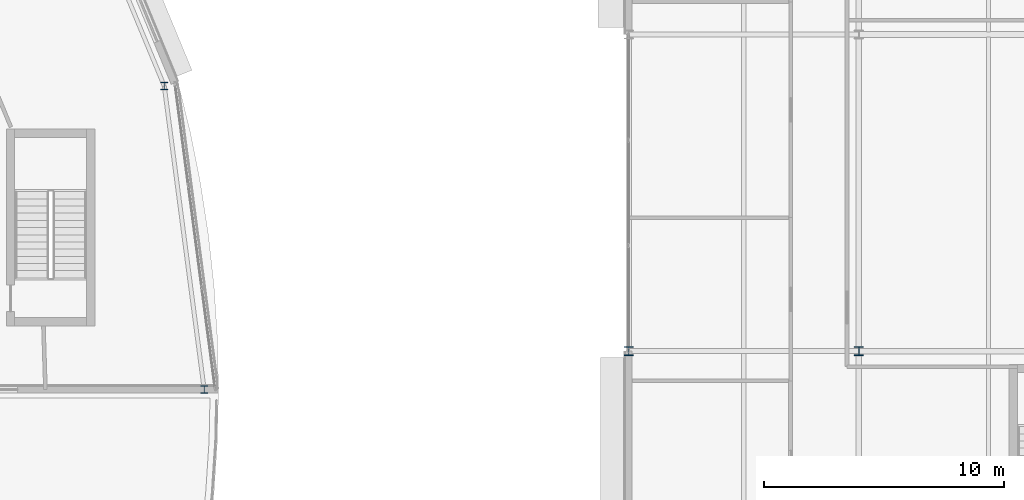
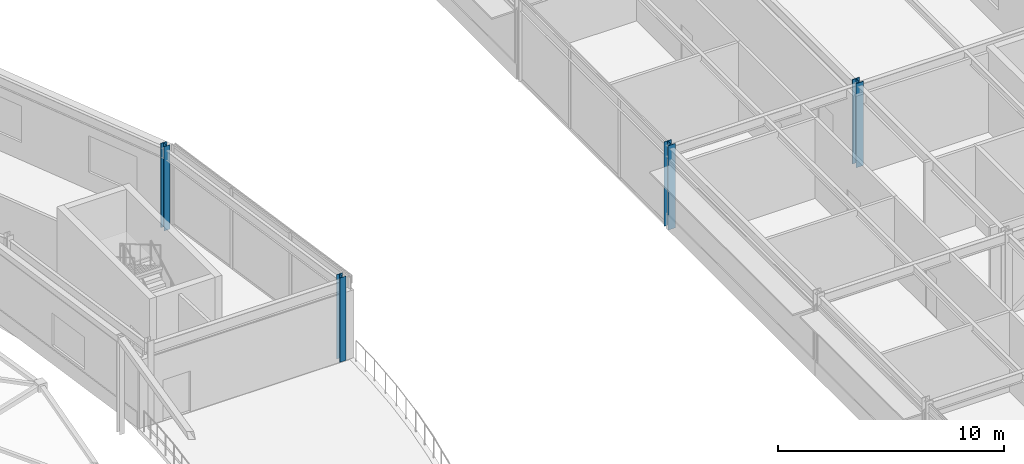
# One storey, part 12 of 89: 4 columns.
"""IFC4 building model written with IfcOpenShell, lengths in metres."""

from ifc_helpers import new_model, si_unit, direction, frame, origin, origin_2d, place, context, subcontext, project, spatial, i_section, extrude, material, material_profile, profile_set, type_object, element, save


model = new_model("IFC4")

# Units and contexts
model_context = context("Model", 3, precision=1e-05, world=origin(), true_north=direction((0.0, 1.0)))
body_context = subcontext(model_context, "Body", "Model", "MODEL_VIEW")
ifc_project = project(units=[si_unit("LENGTHUNIT", "METRE"), si_unit("AREAUNIT", "SQUARE_METRE"), si_unit("VOLUMEUNIT", "CUBIC_METRE"), si_unit("PLANEANGLEUNIT", "RADIAN"), si_unit("MASSUNIT", "GRAM", prefix="KILO")], contexts=[model_context])

# Site, building, storey
site_placement = place(None, origin())
site = spatial("IfcSite", under=ifc_project, at=site_placement, CompositionType="ELEMENT")
building_placement = place(site_placement, origin())
building = spatial("IfcBuilding", under=site, at=building_placement, Name="Almandine Court Research Institute", CompositionType="ELEMENT")
storey_placement = place(building_placement, frame((0.0, 0.0, 18.89990234375)))
storey = spatial("IfcBuildingStorey", under=building, at=storey_placement, Name="L04", CompositionType="ELEMENT", Elevation=18.89990234375)

# Columns
ifc_material = material(Name="Steel ASTM A992 Grade 50", Category="steel")
ifc_material_profile_1 = material_profile(ifc_material, i_section(OverallWidth=0.373046875, OverallDepth=0.367919921875, WebThickness=0.01708984375, FlangeThickness=0.027099609375, at=origin_2d()), Name="W360x179")
ifc_profile_set_1 = profile_set([ifc_material_profile_1], Name="Steel ASTM A992 Grade 50")
column_type_1 = type_object("IfcColumnType", Name="Col-C-W03", PredefinedType="COLUMN", material=ifc_profile_set_1)
for number, where, z_axis, x_axis, name in (
    (1, (153.60009765625, 57.60009765625, 0.0), (0.0, 0.0, 1.0), (1.0, 0.0, 0.0), "L04 V4 Column V4-X2Y6"),
    (2, (163.199951171875, 57.60009765625, 0.0), (0.0, 0.0, 1.0), (1.0, 0.0, 0.0), "L04 V4 Column V4-X3Y6"),
):
    element("IfcColumn", number, at=place(storey_placement, frame(where, z_axis=z_axis, x_axis=x_axis)), inside=storey, type_object=column_type_1, Name=name, PredefinedType="COLUMN", context=body_context, shape_type="SweptSolid", body=[
        extrude(i_section(OverallWidth=0.373046875, OverallDepth=0.367919921875, WebThickness=0.01708984375, FlangeThickness=0.027099609375, at=origin_2d()), origin(), (0.0, 0.0, 1.0), 4.550048828125),
    ])
ifc_material_profile_2 = material_profile(ifc_material, i_section(OverallWidth=0.305908203125, OverallDepth=0.31103515625, WebThickness=0.010986328125, FlangeThickness=0.01708984375, at=origin_2d()), Name="W310x107")
ifc_profile_set_2 = profile_set([ifc_material_profile_2], Name="Steel ASTM A992 Grade 50")
column_type_2 = type_object("IfcColumnType", Name="Col-C-W08-E", PredefinedType="COLUMN", material=ifc_profile_set_2)
for number, where, z_axis, x_axis, name in (
    (3, (135.89990234375, 56.0, 0.0), (0.0, 0.0, 1.0), (1.0, 0.0, 0.0), "L04 V5 Column V5-OUT-S00"),
    (4, (134.23388671875, 68.656005859375, 0.0), (0.0, 0.0, 1.0), (1.0, 0.0, 0.0), "L04 V5 Column V5-OUT-S01"),
):
    element("IfcColumn", number, at=place(storey_placement, frame(where, z_axis=z_axis, x_axis=x_axis)), inside=storey, type_object=column_type_2, Name=name, PredefinedType="COLUMN", context=body_context, shape_type="SweptSolid", body=[
        extrude(i_section(OverallWidth=0.305908203125, OverallDepth=0.31103515625, WebThickness=0.010986328125, FlangeThickness=0.01708984375, at=origin_2d()), origin(), (0.0, 0.0, 1.0), 4.550048828125),
    ])

save(model, "model.ifc")
